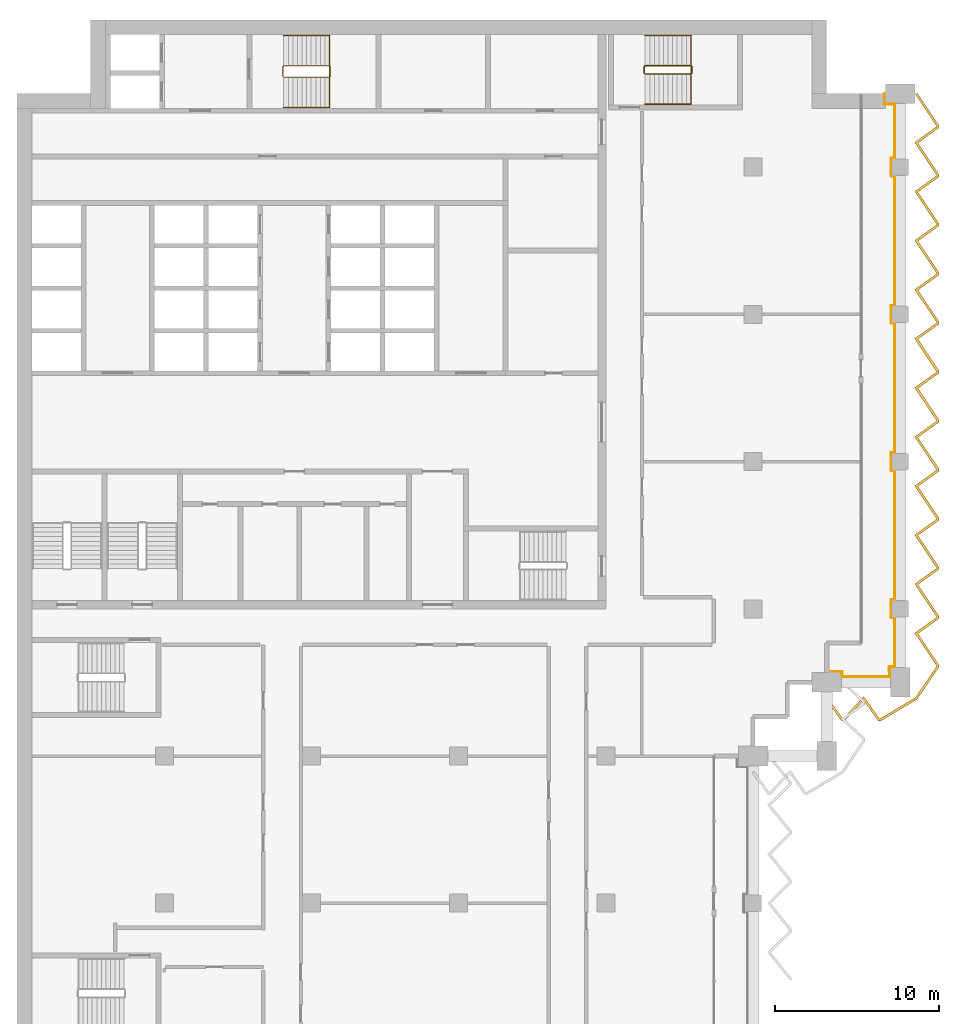
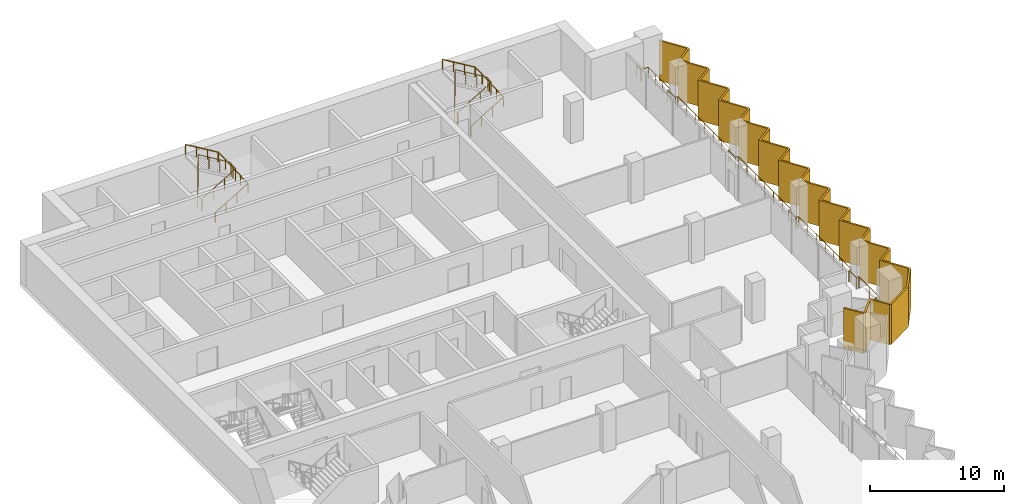
# One storey, part 17 of 17: 5 railings, 1 shading device.
"""IFC4 building model written with IfcOpenShell, lengths in metres."""

import ifcopenshell
import ifcopenshell.guid

model = None  # the IFC model being written
_history = None  # IfcOwnerHistory: only IFC2X3 demands one
_inside = {}  # id of a spatial element -> (the spatial element, [elements in it])
_under = {}  # id of a project, library or spatial element -> (it, [spatial elements below it])
_declared = {}  # id of a project -> (the project, [libraries it declares])
_typed = {}  # id of a type object -> (the type object, [elements of that type])
_made_of = {}  # id of a material, layer set ... -> (it, [elements and type objects made of it])


def new_model(schema):
    """Start an empty IFC model of exactly this schema.

    Asked for "IFC4X3", IfcOpenShell would pick the latest addendum, in which some entities
    have other attributes; the version numbers below select the first issue.
    IFC2X3 requires an IfcOwnerHistory on every rooted entity: one is made here for all.
    """
    global model, _history
    if schema == "IFC4X3":
        model = ifcopenshell.file(schema_version=(4, 3, 0, 0))
    else:
        model = ifcopenshell.file(schema=schema)
    _inside.clear()
    _under.clear()
    _declared.clear()
    _typed.clear()
    _made_of.clear()
    _history = None
    if model.schema == "IFC2X3":
        org = make("IfcOrganization", Name="unknown")
        user = make(
            "IfcPersonAndOrganization",
            ThePerson=make("IfcPerson", FamilyName="unknown"),
            TheOrganization=org,
        )
        app = make(
            "IfcApplication",
            ApplicationDeveloper=org,
            Version="unknown",
            ApplicationFullName="unknown",
            ApplicationIdentifier="unknown",
        )
        _history = make(
            "IfcOwnerHistory",
            OwningUser=user,
            OwningApplication=app,
            ChangeAction="ADDED",
            CreationDate=0,
        )
    return model


def make(cls, **values):
    """One entity of the class cls with the attributes given. An attribute that is None is left unset."""
    return model.create_entity(
        cls, **{name: value for name, value in values.items() if value is not None}
    )


def rooted(cls, **values):
    """An entity with a GlobalId (a new one), such as an element, a storey or a relation."""
    return make(cls, GlobalId=ifcopenshell.guid.new(), OwnerHistory=_history, **values)


def si_unit(unit_type, name, prefix=None):
    """IfcSIUnit, for example si_unit("LENGTHUNIT", "METRE", prefix="MILLI")."""
    return make("IfcSIUnit", UnitType=unit_type, Prefix=prefix, Name=name)


def assignment(units):
    """IfcUnitAssignment: the units of a project."""
    return None if units is None else make("IfcUnitAssignment", Units=units)


def point(xyz):
    """IfcCartesianPoint."""
    return None if xyz is None else make("IfcCartesianPoint", Coordinates=xyz)


def direction(xyz):
    """IfcDirection."""
    return None if xyz is None else make("IfcDirection", DirectionRatios=xyz)


def frame(location, z_axis=None, x_axis=None):
    """IfcAxis2Placement3D, a coordinate frame: its origin and axes. An axis left out is left unset."""
    return make(
        "IfcAxis2Placement3D",
        Location=point(location),
        Axis=direction(z_axis),
        RefDirection=direction(x_axis),
    )


def frame_2d(location, x_axis=None):
    """IfcAxis2Placement2D, a coordinate frame in the plane: its origin and x axis."""
    return make(
        "IfcAxis2Placement2D", Location=point(location), RefDirection=direction(x_axis)
    )


def origin():
    """The frame at (0, 0, 0) with its axes left unset."""
    return frame((0.0, 0.0, 0.0))


def origin_2d():
    """The frame at (0, 0) in the plane with its x axis left unset."""
    return frame_2d((0.0, 0.0))


def place(relative_to, where):
    """IfcLocalPlacement: puts the frame where relative to a parent placement (None: the world)."""
    return make(
        "IfcLocalPlacement", PlacementRelTo=relative_to, RelativePlacement=where
    )


def context(
    kind, dimensions, precision=None, world=None, true_north=None, identifier=None
):
    """IfcGeometricRepresentationContext, for example the 3D "Model" context."""
    return make(
        "IfcGeometricRepresentationContext",
        ContextIdentifier=identifier,
        ContextType=kind,
        CoordinateSpaceDimension=dimensions,
        Precision=precision,
        WorldCoordinateSystem=world,
        TrueNorth=true_north,
    )


def subcontext(parent, identifier, kind, view, scale=None):
    """IfcGeometricRepresentationSubContext, for example "Body" below "Model"."""
    return make(
        "IfcGeometricRepresentationSubContext",
        ContextIdentifier=identifier,
        ContextType=kind,
        ParentContext=parent,
        TargetScale=scale,
        TargetView=view,
    )


def project(units=None, contexts=None):
    """IfcProject with its units and contexts."""
    return rooted(
        "IfcProject",
        Name="project",
        RepresentationContexts=contexts,
        UnitsInContext=assignment(units),
    )


def spatial(cls, under=None, at=None, **own):
    """A site, building, storey or space (cls), placed at a placement, below another one or the project."""
    s = rooted(cls, ObjectPlacement=at, **own)
    if under is not None:
        _under.setdefault(under.id(), (under, []))[1].append(s)
    return s


def polyline(points):
    """IfcPolyline through the points."""
    return make("IfcPolyline", Points=[point(p) for p in points])


def profile(cls, at=None, kind="AREA", **sizes):
    """A parametric profile (cls). Its sizes go by their IFC names, for example OverallWidth=200.0."""
    return make(cls, ProfileType=kind, Position=at, **sizes)


def circle(**sizes):
    """IfcCircleProfileDef."""
    return profile("IfcCircleProfileDef", **sizes)


def outline(outer, holes=None, kind="AREA"):
    """IfcArbitraryClosedProfileDef: a profile drawn as a closed curve; with holes, ...WithVoids."""
    if holes is None:
        return make("IfcArbitraryClosedProfileDef", ProfileType=kind, OuterCurve=outer)
    return make(
        "IfcArbitraryProfileDefWithVoids",
        ProfileType=kind,
        OuterCurve=outer,
        InnerCurves=holes,
    )


def extrude(swept, where, along, depth):
    """IfcExtrudedAreaSolid: the profile swept, set in the frame where, extruded along a direction by depth."""
    return make(
        "IfcExtrudedAreaSolid",
        SweptArea=swept,
        Position=where,
        ExtrudedDirection=direction(along),
        Depth=depth,
    )


def shape(context_of_items, identifier, shape_type, items):
    """IfcShapeRepresentation: the items that make up one representation, for example the "Body"."""
    return make(
        "IfcShapeRepresentation",
        ContextOfItems=context_of_items,
        RepresentationIdentifier=identifier,
        RepresentationType=shape_type,
        Items=items,
    )


def material(Name=None, Category=None):
    """IfcMaterial."""
    return make("IfcMaterial", Name=Name, Category=Category)


def layer(
    of_material, thickness, ventilated=None, Name=None, Category=None, Priority=None
):
    """IfcMaterialLayer: one layer of a wall or slab, of a material (None: an air gap)."""
    return make(
        "IfcMaterialLayer",
        Material=of_material,
        LayerThickness=thickness,
        IsVentilated=ventilated,
        Name=Name,
        Category=Category,
        Priority=Priority,
    )


def layer_set(layers, Name=None):
    """IfcMaterialLayerSet."""
    return make("IfcMaterialLayerSet", MaterialLayers=layers, LayerSetName=Name)


def made_of(thing, what):
    """Note that an element or type object is made of a material, layer set ...; save() writes the relation."""
    if what is not None:
        _made_of.setdefault(what.id(), (what, []))[1].append(thing)
    return thing


def type_object(cls, material=None, **own):
    """A type object (cls), such as IfcWallType, which elements share."""
    return made_of(rooted(cls, **own), material)


def element(
    cls,
    number,
    at=None,
    inside=None,
    cuts=None,
    type_object=None,
    material=None,
    context=None,
    identifier="Body",
    shape_type=None,
    held_by="IfcProductDefinitionShape",
    body=None,
    shapes=None,
    **own,
):
    """One element of the class cls, such as IfcWall. Its Tag is "e" and its number.

    at: its placement. inside: the storey or other place that contains it. cuts: it is an
    opening in that element (IfcRelVoidsElement). A single representation is given by context,
    identifier, shape_type and body (its items); several are given by shapes. held_by: the class
    of the entity that holds the representations. save() writes the other relations.
    """
    e = rooted(cls, Tag="e%d" % number, ObjectPlacement=at, **own)
    if body is not None:
        shapes = [shape(context, identifier, shape_type, body)]
    if shapes is not None:
        e.Representation = make(held_by, Representations=shapes)
    if inside is not None:
        _inside.setdefault(inside.id(), (inside, []))[1].append(e)
    if cuts is not None:
        rooted(
            "IfcRelVoidsElement", RelatingBuildingElement=cuts, RelatedOpeningElement=e
        )
    if type_object is not None:
        _typed.setdefault(type_object.id(), (type_object, []))[1].append(e)
    return made_of(e, material)


def aggregate(whole, parts):
    """IfcRelAggregates: a whole, such as a stair, and the parts it consists of."""
    return rooted("IfcRelAggregates", RelatingObject=whole, RelatedObjects=parts)


def save(model, path):
    """Write the relations noted so far, then the file.

    IfcRelAggregates (storeys below a building ...), IfcRelContainedInSpatialStructure (elements
    in a storey), IfcRelDefinesByType, IfcRelAssociatesMaterial and IfcRelDeclares: one each for
    every whole, place, type object, material and project.
    """
    for whole, parts in _under.values():
        aggregate(whole, parts)
    for where, things in _inside.values():
        rooted(
            "IfcRelContainedInSpatialStructure",
            RelatedElements=things,
            RelatingStructure=where,
        )
    for kind, things in _typed.values():
        rooted("IfcRelDefinesByType", RelatedObjects=things, RelatingType=kind)
    for what, things in _made_of.values():
        rooted("IfcRelAssociatesMaterial", RelatedObjects=things, RelatingMaterial=what)
    for by, libraries in _declared.values():
        rooted("IfcRelDeclares", RelatingContext=by, RelatedDefinitions=libraries)
    model.write(path)


model = new_model("IFC4")

# Units and contexts
model_context = context("Model", 3, precision=1e-05, world=origin(), true_north=direction((0.0, 1.0)))
body_context = subcontext(model_context, "Body", "Model", "MODEL_VIEW")
ifc_project = project(units=[si_unit("LENGTHUNIT", "METRE"), si_unit("AREAUNIT", "SQUARE_METRE"), si_unit("VOLUMEUNIT", "CUBIC_METRE"), si_unit("PLANEANGLEUNIT", "RADIAN"), si_unit("MASSUNIT", "GRAM", prefix="KILO")], contexts=[model_context])

# Site, building, storey
site_placement = place(None, origin())
site = spatial("IfcSite", under=ifc_project, at=site_placement, CompositionType="ELEMENT")
building_placement = place(site_placement, origin())
building = spatial("IfcBuilding", under=site, at=building_placement, Name="Hunhe Ridgeline Campus", CompositionType="ELEMENT")
storey_placement = place(building_placement, frame((0.0, 0.0, 186.5)))
storey = spatial("IfcBuildingStorey", under=building, at=storey_placement, Name="L47", CompositionType="ELEMENT", Elevation=186.5)

# Railing
ifc_material_1 = material(Name="Steel Q355", Category="steel")
railing_type_1 = type_object("IfcRailingType", Name="Loggia guard 1100 Steel Q355", PredefinedType="GUARDRAIL", material=ifc_material_1)
railing_1_placement = place(storey_placement, frame((49.5, 59.169921875, 0.0)))
element("IfcRailing", 1, at=railing_1_placement, inside=storey, type_object=railing_type_1, Name="Loggia guard 2", PredefinedType="GUARDRAIL", context=body_context, shape_type="SweptSolid", body=[
    extrude(circle(Radius=0.02392578125, at=origin_2d()), frame((0.0, 0.0, 1.076171875), z_axis=(1.0, 0.0, 0.0), x_axis=(0.0, 1.0, 0.0)), (0.0, 0.0, 1.0), 0.949951171875),
    extrude(circle(Radius=0.02392578125, at=origin_2d()), frame((0.949951171875, 0.0, 1.076171875), z_axis=(0.0, -1.0, 0.0), x_axis=(1.0, 0.0, 0.0)), (0.0, 0.0, 1.0), 0.31982421875),
    extrude(circle(Radius=0.02392578125, at=origin_2d()), frame((0.949951171875, -0.31982421875, 1.076171875), z_axis=(1.0, 0.0, 0.0), x_axis=(0.0, 1.0, 0.0)), (0.0, 0.0, 1.0), 2.900146484375),
    extrude(circle(Radius=0.02392578125, at=origin_2d()), frame((3.85009765625, -0.31982421875, 1.076171875), z_axis=(0.0, 1.0, 0.0), x_axis=(-1.0, 0.0, 0.0)), (0.0, 0.0, 1.0), 0.619873046875),
    extrude(circle(Radius=0.02392578125, at=origin_2d()), frame((3.85009765625, 0.300048828125, 1.076171875), z_axis=(-0.066572895244, -0.99778156408, 0.0), x_axis=(0.99778156408, -0.066572895244, 0.0)), (0.0, 0.0, 1.0), 0.30078125),
    extrude(circle(Radius=0.02392578125, at=origin_2d()), frame((3.830078125, 0.0, 1.076171875), z_axis=(0.0, 1.0, 0.0), x_axis=(-1.0, 0.0, 0.0)), (0.0, 0.0, 1.0), 0.280029296875),
    extrude(circle(Radius=0.02392578125, at=origin_2d()), frame((3.830078125, 0.280029296875, 1.076171875), z_axis=(1.0, 0.0, 0.0), x_axis=(0.0, 1.0, 0.0)), (0.0, 0.0, 1.0), 0.31982421875),
    extrude(circle(Radius=0.02392578125, at=origin_2d()), frame((4.14990234375, 0.280029296875, 1.076171875), z_axis=(0.0, 1.0, 0.0), x_axis=(-1.0, 0.0, 0.0)), (0.0, 0.0, 1.0), 3.0),
    extrude(circle(Radius=0.02392578125, at=origin_2d()), frame((4.14990234375, 3.280029296875, 1.076171875), z_axis=(-1.0, 0.0, 0.0), x_axis=(0.0, -1.0, 0.0)), (0.0, 0.0, 1.0), 0.219970703125),
    extrude(circle(Radius=0.02392578125, at=origin_2d()), frame((3.929931640625, 3.280029296875, 1.076171875), z_axis=(0.0, 1.0, 0.0), x_axis=(-1.0, 0.0, 0.0)), (0.0, 0.0, 1.0), 1.10009765625),
    extrude(circle(Radius=0.02392578125, at=origin_2d()), frame((3.929931640625, 4.380126953125, 1.076171875), z_axis=(1.0, 0.0, 0.0), x_axis=(0.0, 1.0, 0.0)), (0.0, 0.0, 1.0), 0.219970703125),
    extrude(circle(Radius=0.02392578125, at=origin_2d()), frame((4.14990234375, 4.380126953125, 1.076171875), z_axis=(0.0, 1.0, 0.0), x_axis=(-1.0, 0.0, 0.0)), (0.0, 0.0, 1.0), 7.89990234375),
    extrude(circle(Radius=0.02392578125, at=origin_2d()), frame((4.14990234375, 12.280029296875, 1.076171875), z_axis=(-1.0, 0.0, 0.0), x_axis=(0.0, -1.0, 0.0)), (0.0, 0.0, 1.0), 0.219970703125),
    extrude(circle(Radius=0.02392578125, at=origin_2d()), frame((3.929931640625, 12.280029296875, 1.076171875), z_axis=(0.0, 1.0, 0.0), x_axis=(-1.0, 0.0, 0.0)), (0.0, 0.0, 1.0), 1.10009765625),
    extrude(circle(Radius=0.02392578125, at=origin_2d()), frame((3.929931640625, 13.380126953125, 1.076171875), z_axis=(1.0, 0.0, 0.0), x_axis=(0.0, 1.0, 0.0)), (0.0, 0.0, 1.0), 0.219970703125),
    extrude(circle(Radius=0.02392578125, at=origin_2d()), frame((4.14990234375, 13.380126953125, 1.076171875), z_axis=(0.0, 1.0, 0.0), x_axis=(-1.0, 0.0, 0.0)), (0.0, 0.0, 1.0), 7.89990234375),
    extrude(circle(Radius=0.02392578125, at=origin_2d()), frame((4.14990234375, 21.280029296875, 1.076171875), z_axis=(-1.0, 0.0, 0.0), x_axis=(0.0, -1.0, 0.0)), (0.0, 0.0, 1.0), 0.219970703125),
    extrude(circle(Radius=0.02392578125, at=origin_2d()), frame((3.929931640625, 21.280029296875, 1.076171875), z_axis=(0.0, 1.0, 0.0), x_axis=(-1.0, 0.0, 0.0)), (0.0, 0.0, 1.0), 1.10009765625),
    extrude(circle(Radius=0.02392578125, at=origin_2d()), frame((3.929931640625, 22.380126953125, 1.076171875), z_axis=(1.0, 0.0, 0.0), x_axis=(0.0, 1.0, 0.0)), (0.0, 0.0, 1.0), 0.219970703125),
    extrude(circle(Radius=0.02392578125, at=origin_2d()), frame((4.14990234375, 22.380126953125, 1.076171875), z_axis=(0.0, 1.0, 0.0), x_axis=(-1.0, 0.0, 0.0)), (0.0, 0.0, 1.0), 7.89990234375),
    extrude(circle(Radius=0.02392578125, at=origin_2d()), frame((4.14990234375, 30.280029296875, 1.076171875), z_axis=(-1.0, 0.0, 0.0), x_axis=(0.0, -1.0, 0.0)), (0.0, 0.0, 1.0), 0.219970703125),
    extrude(circle(Radius=0.02392578125, at=origin_2d()), frame((3.929931640625, 30.280029296875, 1.076171875), z_axis=(0.0, 1.0, 0.0), x_axis=(-1.0, 0.0, 0.0)), (0.0, 0.0, 1.0), 1.10009765625),
    extrude(circle(Radius=0.02392578125, at=origin_2d()), frame((3.929931640625, 31.380126953125, 1.076171875), z_axis=(1.0, 0.0, 0.0), x_axis=(0.0, 1.0, 0.0)), (0.0, 0.0, 1.0), 0.219970703125),
    extrude(circle(Radius=0.02392578125, at=origin_2d()), frame((4.14990234375, 31.380126953125, 1.076171875), z_axis=(0.0, 1.0, 0.0), x_axis=(-1.0, 0.0, 0.0)), (0.0, 0.0, 1.0), 3.300048828125),
    extrude(circle(Radius=0.02392578125, at=origin_2d()), frame((4.14990234375, 34.68017578125, 1.076171875), z_axis=(-1.0, 0.0, 0.0), x_axis=(0.0, -1.0, 0.0)), (0.0, 0.0, 1.0), 0.619873046875),
    extrude(circle(Radius=0.02392578125, at=origin_2d()), frame((3.530029296875, 34.68017578125, 1.076171875), z_axis=(0.0, 1.0, 0.0), x_axis=(-1.0, 0.0, 0.0)), (0.0, 0.0, 1.0), 0.64990234375),
    extrude(circle(Radius=0.02099609375, at=origin_2d()), origin(), (0.0, 0.0, 1.0), 1.052001953125),
    extrude(circle(Radius=0.02099609375, at=origin_2d()), frame((0.949951171875, 0.0, 0.0)), (0.0, 0.0, 1.0), 1.052001953125),
    extrude(circle(Radius=0.02099609375, at=origin_2d()), frame((0.949951171875, -0.31982421875, 0.0)), (0.0, 0.0, 1.0), 1.052001953125),
    extrude(circle(Radius=0.02099609375, at=origin_2d()), frame((2.39990234375, -0.31982421875, 0.0)), (0.0, 0.0, 1.0), 1.052001953125),
    extrude(circle(Radius=0.02099609375, at=origin_2d()), frame((3.85009765625, -0.31982421875, 0.0)), (0.0, 0.0, 1.0), 1.052001953125),
    extrude(circle(Radius=0.02099609375, at=origin_2d()), frame((3.85009765625, 0.300048828125, 0.0)), (0.0, 0.0, 1.0), 1.052001953125),
    extrude(circle(Radius=0.02099609375, at=origin_2d()), frame((3.830078125, 0.0, 0.0)), (0.0, 0.0, 1.0), 1.052001953125),
    extrude(circle(Radius=0.02099609375, at=origin_2d()), frame((3.830078125, 0.280029296875, 0.0)), (0.0, 0.0, 1.0), 1.052001953125),
    extrude(circle(Radius=0.02099609375, at=origin_2d()), frame((4.14990234375, 0.280029296875, 0.0)), (0.0, 0.0, 1.0), 1.052001953125),
    extrude(circle(Radius=0.02099609375, at=origin_2d()), frame((4.14990234375, 1.780029296875, 0.0)), (0.0, 0.0, 1.0), 1.052001953125),
    extrude(circle(Radius=0.02099609375, at=origin_2d()), frame((4.14990234375, 3.280029296875, 0.0)), (0.0, 0.0, 1.0), 1.052001953125),
    extrude(circle(Radius=0.02099609375, at=origin_2d()), frame((3.929931640625, 3.280029296875, 0.0)), (0.0, 0.0, 1.0), 1.052001953125),
    extrude(circle(Radius=0.02099609375, at=origin_2d()), frame((3.929931640625, 4.380126953125, 0.0)), (0.0, 0.0, 1.0), 1.052001953125),
    extrude(circle(Radius=0.02099609375, at=origin_2d()), frame((4.14990234375, 4.380126953125, 0.0)), (0.0, 0.0, 1.0), 1.052001953125),
    extrude(circle(Radius=0.02099609375, at=origin_2d()), frame((4.14990234375, 5.69677734375, 0.0)), (0.0, 0.0, 1.0), 1.052001953125),
    extrude(circle(Radius=0.02099609375, at=origin_2d()), frame((4.14990234375, 7.013427734375, 0.0)), (0.0, 0.0, 1.0), 1.052001953125),
    extrude(circle(Radius=0.02099609375, at=origin_2d()), frame((4.14990234375, 8.330078125, 0.0)), (0.0, 0.0, 1.0), 1.052001953125),
    extrude(circle(Radius=0.02099609375, at=origin_2d()), frame((4.14990234375, 9.646728515625, 0.0)), (0.0, 0.0, 1.0), 1.052001953125),
    extrude(circle(Radius=0.02099609375, at=origin_2d()), frame((4.14990234375, 10.96337890625, 0.0)), (0.0, 0.0, 1.0), 1.052001953125),
    extrude(circle(Radius=0.02099609375, at=origin_2d()), frame((4.14990234375, 12.280029296875, 0.0)), (0.0, 0.0, 1.0), 1.052001953125),
    extrude(circle(Radius=0.02099609375, at=origin_2d()), frame((3.929931640625, 12.280029296875, 0.0)), (0.0, 0.0, 1.0), 1.052001953125),
    extrude(circle(Radius=0.02099609375, at=origin_2d()), frame((3.929931640625, 13.380126953125, 0.0)), (0.0, 0.0, 1.0), 1.052001953125),
    extrude(circle(Radius=0.02099609375, at=origin_2d()), frame((4.14990234375, 13.380126953125, 0.0)), (0.0, 0.0, 1.0), 1.052001953125),
    extrude(circle(Radius=0.02099609375, at=origin_2d()), frame((4.14990234375, 14.69677734375, 0.0)), (0.0, 0.0, 1.0), 1.052001953125),
    extrude(circle(Radius=0.02099609375, at=origin_2d()), frame((4.14990234375, 16.013427734375, 0.0)), (0.0, 0.0, 1.0), 1.052001953125),
    extrude(circle(Radius=0.02099609375, at=origin_2d()), frame((4.14990234375, 17.330078125, 0.0)), (0.0, 0.0, 1.0), 1.052001953125),
    extrude(circle(Radius=0.02099609375, at=origin_2d()), frame((4.14990234375, 18.646728515625, 0.0)), (0.0, 0.0, 1.0), 1.052001953125),
    extrude(circle(Radius=0.02099609375, at=origin_2d()), frame((4.14990234375, 19.96337890625, 0.0)), (0.0, 0.0, 1.0), 1.052001953125),
    extrude(circle(Radius=0.02099609375, at=origin_2d()), frame((4.14990234375, 21.280029296875, 0.0)), (0.0, 0.0, 1.0), 1.052001953125),
    extrude(circle(Radius=0.02099609375, at=origin_2d()), frame((3.929931640625, 21.280029296875, 0.0)), (0.0, 0.0, 1.0), 1.052001953125),
    extrude(circle(Radius=0.02099609375, at=origin_2d()), frame((3.929931640625, 22.380126953125, 0.0)), (0.0, 0.0, 1.0), 1.052001953125),
    extrude(circle(Radius=0.02099609375, at=origin_2d()), frame((4.14990234375, 22.380126953125, 0.0)), (0.0, 0.0, 1.0), 1.052001953125),
    extrude(circle(Radius=0.02099609375, at=origin_2d()), frame((4.14990234375, 23.69677734375, 0.0)), (0.0, 0.0, 1.0), 1.052001953125),
    extrude(circle(Radius=0.02099609375, at=origin_2d()), frame((4.14990234375, 25.013427734375, 0.0)), (0.0, 0.0, 1.0), 1.052001953125),
    extrude(circle(Radius=0.02099609375, at=origin_2d()), frame((4.14990234375, 26.330078125, 0.0)), (0.0, 0.0, 1.0), 1.052001953125),
    extrude(circle(Radius=0.02099609375, at=origin_2d()), frame((4.14990234375, 27.646728515625, 0.0)), (0.0, 0.0, 1.0), 1.052001953125),
    extrude(circle(Radius=0.02099609375, at=origin_2d()), frame((4.14990234375, 28.96337890625, 0.0)), (0.0, 0.0, 1.0), 1.052001953125),
    extrude(circle(Radius=0.02099609375, at=origin_2d()), frame((4.14990234375, 30.280029296875, 0.0)), (0.0, 0.0, 1.0), 1.052001953125),
    extrude(circle(Radius=0.02099609375, at=origin_2d()), frame((3.929931640625, 30.280029296875, 0.0)), (0.0, 0.0, 1.0), 1.052001953125),
    extrude(circle(Radius=0.02099609375, at=origin_2d()), frame((3.929931640625, 31.380126953125, 0.0)), (0.0, 0.0, 1.0), 1.052001953125),
    extrude(circle(Radius=0.02099609375, at=origin_2d()), frame((4.14990234375, 31.380126953125, 0.0)), (0.0, 0.0, 1.0), 1.052001953125),
    extrude(circle(Radius=0.02099609375, at=origin_2d()), frame((4.14990234375, 32.480224609375, 0.0)), (0.0, 0.0, 1.0), 1.052001953125),
    extrude(circle(Radius=0.02099609375, at=origin_2d()), frame((4.14990234375, 33.580078125, 0.0)), (0.0, 0.0, 1.0), 1.052001953125),
    extrude(circle(Radius=0.02099609375, at=origin_2d()), frame((4.14990234375, 34.68017578125, 0.0)), (0.0, 0.0, 1.0), 1.052001953125),
    extrude(circle(Radius=0.02099609375, at=origin_2d()), frame((3.530029296875, 34.68017578125, 0.0)), (0.0, 0.0, 1.0), 1.052001953125),
    extrude(circle(Radius=0.02099609375, at=origin_2d()), frame((3.530029296875, 35.330078125, 0.0)), (0.0, 0.0, 1.0), 1.052001953125),
])

# Shading device
ifc_material_2 = material(Name="Concrete C50", Category="concrete")
ifc_layer = layer(ifc_material_2, 0.14990234375)
ifc_layer_set = layer_set([ifc_layer], Name="Sawtooth concrete fin 150 Concrete C50")
shading_device_type = type_object("IfcShadingDeviceType", Name="Sawtooth concrete fin 150 Concrete C50", PredefinedType="USERDEFINED", material=ifc_layer_set)
shading_device_placement = place(storey_placement, frame((0.0, 0.0, -0.949951171875)))
element("IfcShadingDevice", 2, at=shading_device_placement, inside=storey, type_object=shading_device_type, Name="Concrete fin screen 3", ObjectType="FIN", PredefinedType="USERDEFINED", context=body_context, shape_type="SweptSolid", body=[
    extrude(outline(polyline([(49.560791015625, 57.56884765625), (49.439208984375, 57.481201171875), (50.396484375, 56.14990234375), (50.587890625, 56.14990234375), (51.742919921875, 57.406494140625), (52.646484375, 56.14990234375), (52.82568359375, 56.14990234375), (55.02783203125, 57.46923828125), (56.35009765625, 59.411865234375), (56.35009765625, 59.577880859375), (55.07763671875, 61.4814453125), (56.35009765625, 62.396484375), (56.35009765625, 62.577880859375), (55.07763671875, 64.4814453125), (56.35009765625, 65.396484375), (56.35009765625, 65.577880859375), (55.07763671875, 67.4814453125), (56.35009765625, 68.396484375), (56.35009765625, 68.577880859375), (55.07763671875, 70.4814453125), (56.35009765625, 71.396484375), (56.35009765625, 71.577880859375), (55.07763671875, 73.4814453125), (56.35009765625, 74.396484375), (56.35009765625, 74.577880859375), (55.07763671875, 76.4814453125), (56.35009765625, 77.396484375), (56.35009765625, 77.577880859375), (55.07763671875, 79.4814453125), (56.35009765625, 80.396484375), (56.35009765625, 80.577880859375), (55.07763671875, 82.4814453125), (56.35009765625, 83.396484375), (56.35009765625, 83.577880859375), (55.07763671875, 85.4814453125), (56.35009765625, 86.396484375), (56.35009765625, 86.577880859375), (55.07763671875, 88.4814453125), (56.35009765625, 89.396484375), (56.35009765625, 89.577880859375), (55.07763671875, 91.4814453125), (56.35009765625, 92.396484375), (56.35009765625, 92.577880859375), (55.037353515625, 94.541748046875), (54.91259765625, 94.458251953125), (56.199951171875, 92.5322265625), (56.199951171875, 92.473388671875), (54.872314453125, 91.5185546875), (56.199951171875, 89.5322265625), (56.199951171875, 89.473388671875), (54.872314453125, 88.5185546875), (56.199951171875, 86.5322265625), (56.199951171875, 86.473388671875), (54.872314453125, 85.5185546875), (56.199951171875, 83.5322265625), (56.199951171875, 83.473388671875), (54.872314453125, 82.5185546875), (56.199951171875, 80.5322265625), (56.199951171875, 80.473388671875), (54.872314453125, 79.5185546875), (56.199951171875, 77.5322265625), (56.199951171875, 77.473388671875), (54.872314453125, 76.5185546875), (56.199951171875, 74.5322265625), (56.199951171875, 74.473388671875), (54.872314453125, 73.5185546875), (56.199951171875, 71.5322265625), (56.199951171875, 71.473388671875), (54.872314453125, 70.5185546875), (56.199951171875, 68.5322265625), (56.199951171875, 68.473388671875), (54.872314453125, 67.5185546875), (56.199951171875, 65.5322265625), (56.199951171875, 65.473388671875), (54.872314453125, 64.5185546875), (56.199951171875, 62.5322265625), (56.199951171875, 62.473388671875), (54.872314453125, 61.5185546875), (56.199951171875, 59.5322265625), (56.199951171875, 59.4580078125), (54.92236328125, 57.580810546875), (52.7841796875, 56.300048828125), (52.723388671875, 56.300048828125), (51.757080078125, 57.6435546875), (50.52197265625, 56.300048828125), (50.473388671875, 56.300048828125), (49.560791015625, 57.56884765625)])), origin(), (0.0, 0.0, 1.0), 3.64990234375),
])

# Railings
ifc_material_3 = material(Name="Stainless steel balustrade", Category="steel")
railing_type_2 = type_object("IfcRailingType", Name="Stair guard 1100 stainless", PredefinedType="GUARDRAIL", material=ifc_material_3)
railing_2_placement = place(storey_placement, frame((16.300048828125, 95.5, 0.168212890625)))
element("IfcRailing", 3, at=railing_2_placement, inside=storey, type_object=railing_type_2, Name="L47 stair S1 guard", PredefinedType="GUARDRAIL", context=body_context, shape_type="SweptSolid", body=[
    extrude(circle(Radius=0.02392578125, at=origin_2d()), frame((0.0, 0.0, 1.076171875), z_axis=(0.857242210791, 0.0, 0.514913383045), x_axis=(0.0, 1.0, 0.0)), (0.0, 0.0, 1.0), 3.266357421875),
    extrude(circle(Radius=0.02392578125, at=origin_2d()), frame((2.800048828125, 0.0, 2.7578125), z_axis=(0.705375805398, 0.708833529934, 0.0), x_axis=(-0.708833529934, 0.705375805398, 0.0)), (0.0, 0.0, 1.0), 0.070556640625),
    extrude(circle(Radius=0.02392578125, at=origin_2d()), frame((2.849853515625, 0.050048828125, 2.7578125), z_axis=(0.0, 1.0, 0.0), x_axis=(-1.0, 0.0, 0.0)), (0.0, 0.0, 1.0), 0.599853515625),
    extrude(circle(Radius=0.02392578125, at=origin_2d()), frame((2.849853515625, 0.64990234375, 2.7578125), z_axis=(-0.273343290215, 0.274683208305, 0.921863645432), x_axis=(-0.708833529934, -0.705375805398, 0.0)), (0.0, 0.0, 1.0), 0.18212890625),
    extrude(circle(Radius=0.02392578125, at=origin_2d()), frame((2.800048828125, 0.699951171875, 2.92578125), z_axis=(-0.857242210791, 0.0, 0.514913383045), x_axis=(0.0, -1.0, 0.0)), (0.0, 0.0, 1.0), 3.266357421875),
    extrude(circle(Radius=0.02392578125, at=origin_2d()), frame((0.0, 0.699951171875, 4.60791015625), z_axis=(-0.013524414389, -0.013524414389, -0.999817073484), x_axis=(0.707106781187, -0.707106781187, 0.0)), (0.0, 0.0, 1.0), 3.70068359375),
    extrude(circle(Radius=0.02392578125, at=origin_2d()), frame((-0.050048828125, 0.64990234375, 0.90771484375), z_axis=(0.0, -1.0, 0.0), x_axis=(1.0, 0.0, 0.0)), (0.0, 0.0, 1.0), 0.599853515625),
    extrude(circle(Radius=0.02099609375, at=origin_2d()), origin(), (0.0, 0.0, 1.0), 1.052001953125),
    extrude(circle(Radius=0.02099609375, at=origin_2d()), frame((0.933349609375, 0.0, 0.560546875)), (0.0, 0.0, 1.0), 1.052001953125),
    extrude(circle(Radius=0.02099609375, at=origin_2d()), frame((1.86669921875, 0.0, 1.121337890625)), (0.0, 0.0, 1.0), 1.052001953125),
    extrude(circle(Radius=0.02099609375, at=origin_2d()), frame((2.800048828125, 0.0, 1.681884765625)), (0.0, 0.0, 1.0), 1.052001953125),
    extrude(circle(Radius=0.02099609375, at=origin_2d()), frame((2.849853515625, 0.050048828125, 1.681884765625)), (0.0, 0.0, 1.0), 1.052001953125),
    extrude(circle(Radius=0.02099609375, at=origin_2d()), frame((2.849853515625, 0.64990234375, 1.681884765625)), (0.0, 0.0, 1.0), 1.052001953125),
    extrude(circle(Radius=0.02099609375, at=origin_2d()), frame((2.800048828125, 0.699951171875, 1.849853515625)), (0.0, 0.0, 1.0), 1.052001953125),
    extrude(circle(Radius=0.02099609375, at=origin_2d()), frame((1.86669921875, 0.699951171875, 2.410400390625)), (0.0, 0.0, 1.0), 1.052001953125),
    extrude(circle(Radius=0.02099609375, at=origin_2d()), frame((0.933349609375, 0.699951171875, 2.97119140625)), (0.0, 0.0, 1.0), 1.052001953125),
    extrude(circle(Radius=0.02099609375, at=origin_2d()), frame((0.0, 0.699951171875, 3.53173828125)), (0.0, 0.0, 1.0), 1.052001953125),
    extrude(circle(Radius=0.02099609375, at=origin_2d()), frame((-0.012451171875, 0.6875, 2.606689453125)), (0.0, 0.0, 1.0), 1.052001953125),
    extrude(circle(Radius=0.02099609375, at=origin_2d()), frame((-0.02490234375, 0.6748046875, 1.681640625)), (0.0, 0.0, 1.0), 1.052001953125),
    extrude(circle(Radius=0.02099609375, at=origin_2d()), frame((-0.03759765625, 0.662353515625, 0.7568359375)), (0.0, 0.0, 1.0), 1.052001953125),
    extrude(circle(Radius=0.02099609375, at=origin_2d()), frame((-0.050048828125, 0.64990234375, -0.168212890625)), (0.0, 0.0, 1.0), 1.052001953125),
    extrude(circle(Radius=0.02099609375, at=origin_2d()), frame((-0.050048828125, 0.050048828125, -0.168212890625)), (0.0, 0.0, 1.0), 1.052001953125),
])
railing_3_placement = place(storey_placement, frame((38.39990234375, 95.699951171875, 0.168212890625)))
element("IfcRailing", 4, at=railing_3_placement, inside=storey, type_object=railing_type_2, Name="L47 stair E1 guard", PredefinedType="GUARDRAIL", context=body_context, shape_type="SweptSolid", body=[
    extrude(circle(Radius=0.02392578125, at=origin_2d()), frame((0.0, 0.0, 1.076171875), z_axis=(0.857242210791, 0.0, 0.514913383045), x_axis=(0.0, 1.0, 0.0)), (0.0, 0.0, 1.0), 3.266357421875),
    extrude(circle(Radius=0.02392578125, at=origin_2d()), frame((2.800048828125, 0.0, 2.7578125), z_axis=(0.707106781187, 0.707106781187, 0.0), x_axis=(-0.707106781187, 0.707106781187, 0.0)), (0.0, 0.0, 1.0), 0.07080078125),
    extrude(circle(Radius=0.02392578125, at=origin_2d()), frame((2.85009765625, 0.050048828125, 2.7578125), z_axis=(0.0, 1.0, 0.0), x_axis=(-1.0, 0.0, 0.0)), (0.0, 0.0, 1.0), 0.39990234375),
    extrude(circle(Radius=0.02392578125, at=origin_2d()), frame((2.85009765625, 0.449951171875, 2.7578125), z_axis=(-0.274582412415, 0.274582412415, 0.921525364591), x_axis=(-0.707106781187, -0.707106781187, 0.0)), (0.0, 0.0, 1.0), 0.182373046875),
    extrude(circle(Radius=0.02392578125, at=origin_2d()), frame((2.800048828125, 0.5, 2.92578125), z_axis=(-0.857242210791, 0.0, 0.514913383045), x_axis=(0.0, -1.0, 0.0)), (0.0, 0.0, 1.0), 3.266357421875),
    extrude(circle(Radius=0.02392578125, at=origin_2d()), frame((0.0, 0.5, 4.60791015625), z_axis=(-0.013458453615, -0.013524426427, -0.999817963389), x_axis=(0.708833529934, -0.705375805398, 0.0)), (0.0, 0.0, 1.0), 3.70068359375),
    extrude(circle(Radius=0.02392578125, at=origin_2d()), frame((-0.0498046875, 0.449951171875, 0.90771484375), z_axis=(0.0, -1.0, 0.0), x_axis=(1.0, 0.0, 0.0)), (0.0, 0.0, 1.0), 0.39990234375),
    extrude(circle(Radius=0.02099609375, at=origin_2d()), origin(), (0.0, 0.0, 1.0), 1.052001953125),
    extrude(circle(Radius=0.02099609375, at=origin_2d()), frame((0.933349609375, 0.0, 0.560546875)), (0.0, 0.0, 1.0), 1.052001953125),
    extrude(circle(Radius=0.02099609375, at=origin_2d()), frame((1.86669921875, 0.0, 1.121337890625)), (0.0, 0.0, 1.0), 1.052001953125),
    extrude(circle(Radius=0.02099609375, at=origin_2d()), frame((2.800048828125, 0.0, 1.681884765625)), (0.0, 0.0, 1.0), 1.052001953125),
    extrude(circle(Radius=0.02099609375, at=origin_2d()), frame((2.85009765625, 0.050048828125, 1.681884765625)), (0.0, 0.0, 1.0), 1.052001953125),
    extrude(circle(Radius=0.02099609375, at=origin_2d()), frame((2.85009765625, 0.449951171875, 1.681884765625)), (0.0, 0.0, 1.0), 1.052001953125),
    extrude(circle(Radius=0.02099609375, at=origin_2d()), frame((2.800048828125, 0.5, 1.849853515625)), (0.0, 0.0, 1.0), 1.052001953125),
    extrude(circle(Radius=0.02099609375, at=origin_2d()), frame((1.86669921875, 0.5, 2.410400390625)), (0.0, 0.0, 1.0), 1.052001953125),
    extrude(circle(Radius=0.02099609375, at=origin_2d()), frame((0.933349609375, 0.5, 2.97119140625)), (0.0, 0.0, 1.0), 1.052001953125),
    extrude(circle(Radius=0.02099609375, at=origin_2d()), frame((0.0, 0.5, 3.53173828125)), (0.0, 0.0, 1.0), 1.052001953125),
    extrude(circle(Radius=0.02099609375, at=origin_2d()), frame((-0.012451171875, 0.487548828125, 2.606689453125)), (0.0, 0.0, 1.0), 1.052001953125),
    extrude(circle(Radius=0.02099609375, at=origin_2d()), frame((-0.02490234375, 0.47509765625, 1.681640625)), (0.0, 0.0, 1.0), 1.052001953125),
    extrude(circle(Radius=0.02099609375, at=origin_2d()), frame((-0.037353515625, 0.46240234375, 0.7568359375)), (0.0, 0.0, 1.0), 1.052001953125),
    extrude(circle(Radius=0.02099609375, at=origin_2d()), frame((-0.0498046875, 0.449951171875, -0.168212890625)), (0.0, 0.0, 1.0), 1.052001953125),
    extrude(circle(Radius=0.02099609375, at=origin_2d()), frame((-0.0498046875, 0.050048828125, -0.168212890625)), (0.0, 0.0, 1.0), 1.052001953125),
])
ifc_material_4 = material(Name="Stainless steel handrail", Category="steel")
railing_type_3 = type_object("IfcRailingType", Name="Stair handrail 900 stainless", PredefinedType="HANDRAIL", material=ifc_material_4)
railing_4_placement = place(storey_placement, frame((16.300048828125, 93.64990234375, 0.168212890625)))
element("IfcRailing", 5, at=railing_4_placement, inside=storey, type_object=railing_type_3, Name="L47 stair S1 handrail", PredefinedType="HANDRAIL", context=body_context, shape_type="SweptSolid", body=[
    extrude(circle(Radius=0.02392578125, at=origin_2d()), frame((0.0, 0.0, 0.8759765625), z_axis=(0.857242210791, 0.0, 0.514913383045), x_axis=(0.0, 1.0, 0.0)), (0.0, 0.0, 1.0), 3.266357421875),
    extrude(circle(Radius=0.02392578125, at=origin_2d()), frame((2.800048828125, 0.0, 2.5576171875), z_axis=(0.0, 0.999272189381, 0.038145662004), x_axis=(-1.0, 0.0, 0.0)), (0.0, 0.0, 1.0), 4.4033203125),
    extrude(circle(Radius=0.02392578125, at=origin_2d()), frame((2.800048828125, 4.400146484375, 2.7255859375), z_axis=(-0.857242210791, 0.0, 0.514913383045), x_axis=(0.0, -1.0, 0.0)), (0.0, 0.0, 1.0), 3.266357421875),
    extrude(circle(Radius=0.02099609375, at=origin_2d()), origin(), (0.0, 0.0, 1.0), 0.851806640625),
    extrude(circle(Radius=0.02099609375, at=origin_2d()), frame((0.933349609375, 0.0, 0.560546875)), (0.0, 0.0, 1.0), 0.851806640625),
    extrude(circle(Radius=0.02099609375, at=origin_2d()), frame((1.86669921875, 0.0, 1.121337890625)), (0.0, 0.0, 1.0), 0.851806640625),
    extrude(circle(Radius=0.02099609375, at=origin_2d()), frame((2.800048828125, 0.0, 1.681884765625)), (0.0, 0.0, 1.0), 0.851806640625),
    extrude(circle(Radius=0.02099609375, at=origin_2d()), frame((2.800048828125, 1.10009765625, 1.723876953125)), (0.0, 0.0, 1.0), 0.851806640625),
    extrude(circle(Radius=0.02099609375, at=origin_2d()), frame((2.800048828125, 2.2001953125, 1.765869140625)), (0.0, 0.0, 1.0), 0.851806640625),
    extrude(circle(Radius=0.02099609375, at=origin_2d()), frame((2.800048828125, 3.300048828125, 1.807861328125)), (0.0, 0.0, 1.0), 0.851806640625),
    extrude(circle(Radius=0.02099609375, at=origin_2d()), frame((2.800048828125, 4.400146484375, 1.849853515625)), (0.0, 0.0, 1.0), 0.851806640625),
    extrude(circle(Radius=0.02099609375, at=origin_2d()), frame((1.86669921875, 4.400146484375, 2.410400390625)), (0.0, 0.0, 1.0), 0.851806640625),
    extrude(circle(Radius=0.02099609375, at=origin_2d()), frame((0.933349609375, 4.400146484375, 2.97119140625)), (0.0, 0.0, 1.0), 0.851806640625),
    extrude(circle(Radius=0.02099609375, at=origin_2d()), frame((0.0, 4.400146484375, 3.53173828125)), (0.0, 0.0, 1.0), 0.851806640625),
])
railing_5_placement = place(storey_placement, frame((38.39990234375, 93.85009765625, 0.168212890625)))
element("IfcRailing", 6, at=railing_5_placement, inside=storey, type_object=railing_type_3, Name="L47 stair E1 handrail", PredefinedType="HANDRAIL", context=body_context, shape_type="SweptSolid", body=[
    extrude(circle(Radius=0.02392578125, at=origin_2d()), frame((0.0, 0.0, 0.8759765625), z_axis=(0.857242210791, 0.0, 0.514913383045), x_axis=(0.0, 1.0, 0.0)), (0.0, 0.0, 1.0), 3.266357421875),
    extrude(circle(Radius=0.02392578125, at=origin_2d()), frame((2.800048828125, 0.0, 2.5576171875), z_axis=(0.0, 0.99920123705, 0.039961079526), x_axis=(-1.0, 0.0, 0.0)), (0.0, 0.0, 1.0), 4.203369140625),
    extrude(circle(Radius=0.02392578125, at=origin_2d()), frame((2.800048828125, 4.199951171875, 2.7255859375), z_axis=(-0.857242210791, 0.0, 0.514913383045), x_axis=(0.0, -1.0, 0.0)), (0.0, 0.0, 1.0), 3.266357421875),
    extrude(circle(Radius=0.02099609375, at=origin_2d()), origin(), (0.0, 0.0, 1.0), 0.851806640625),
    extrude(circle(Radius=0.02099609375, at=origin_2d()), frame((0.933349609375, 0.0, 0.560546875)), (0.0, 0.0, 1.0), 0.851806640625),
    extrude(circle(Radius=0.02099609375, at=origin_2d()), frame((1.86669921875, 0.0, 1.121337890625)), (0.0, 0.0, 1.0), 0.851806640625),
    extrude(circle(Radius=0.02099609375, at=origin_2d()), frame((2.800048828125, 0.0, 1.681884765625)), (0.0, 0.0, 1.0), 0.851806640625),
    extrude(circle(Radius=0.02099609375, at=origin_2d()), frame((2.800048828125, 1.050048828125, 1.723876953125)), (0.0, 0.0, 1.0), 0.851806640625),
    extrude(circle(Radius=0.02099609375, at=origin_2d()), frame((2.800048828125, 2.10009765625, 1.765869140625)), (0.0, 0.0, 1.0), 0.851806640625),
    extrude(circle(Radius=0.02099609375, at=origin_2d()), frame((2.800048828125, 3.14990234375, 1.807861328125)), (0.0, 0.0, 1.0), 0.851806640625),
    extrude(circle(Radius=0.02099609375, at=origin_2d()), frame((2.800048828125, 4.199951171875, 1.849853515625)), (0.0, 0.0, 1.0), 0.851806640625),
    extrude(circle(Radius=0.02099609375, at=origin_2d()), frame((1.86669921875, 4.199951171875, 2.410400390625)), (0.0, 0.0, 1.0), 0.851806640625),
    extrude(circle(Radius=0.02099609375, at=origin_2d()), frame((0.933349609375, 4.199951171875, 2.97119140625)), (0.0, 0.0, 1.0), 0.851806640625),
    extrude(circle(Radius=0.02099609375, at=origin_2d()), frame((0.0, 4.199951171875, 3.53173828125)), (0.0, 0.0, 1.0), 0.851806640625),
])

save(model, "model.ifc")
